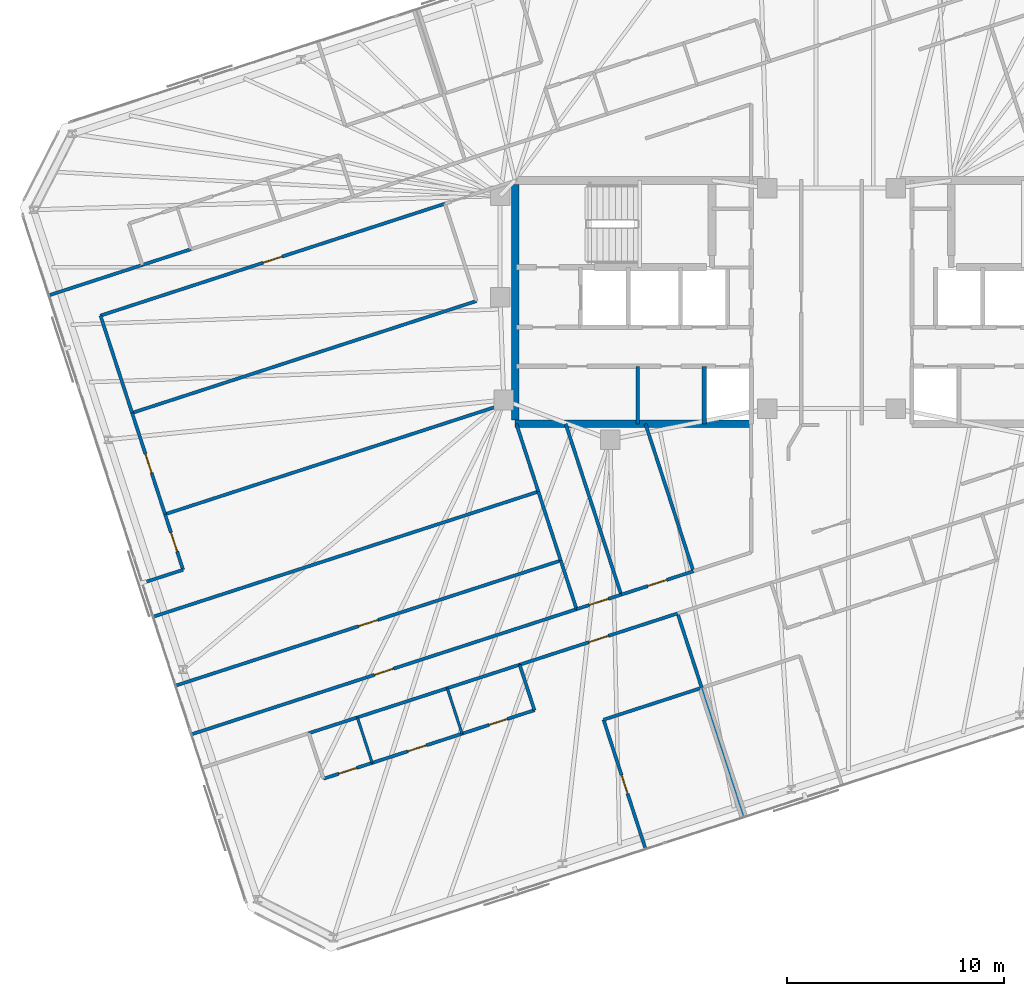
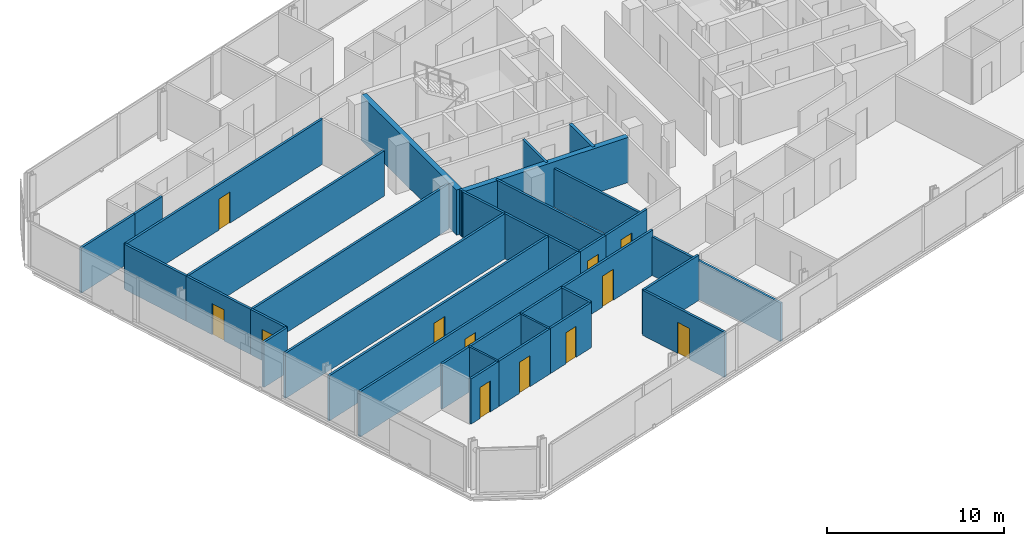
# One storey, part 13 of 20: 36 walls, 12 doors, 12 openings.
"""IFC4 building model written with IfcOpenShell, lengths in metres."""

from ifc_helpers import new_model, si_unit, direction, frame, frame_2d, origin, place, context, subcontext, project, spatial, rectangle, extrude, material, layer, layer_set, type_object, element, fill, save


model = new_model("IFC4")

# Units and contexts
model_context = context("Model", 3, precision=1e-05, world=origin(), true_north=direction((0.0, 1.0)))
body_context = subcontext(model_context, "Body", "Model", "MODEL_VIEW")
ifc_project = project(units=[si_unit("LENGTHUNIT", "METRE"), si_unit("AREAUNIT", "SQUARE_METRE"), si_unit("VOLUMEUNIT", "CUBIC_METRE"), si_unit("PLANEANGLEUNIT", "RADIAN"), si_unit("MASSUNIT", "GRAM", prefix="KILO")], contexts=[model_context])

# Site, building, storey
site_placement = place(None, origin())
site = spatial("IfcSite", under=ifc_project, at=site_placement, CompositionType="ELEMENT")
building_placement = place(site_placement, origin())
building = spatial("IfcBuilding", under=site, at=building_placement, Name="Menara Jurai Vektor", CompositionType="ELEMENT")
storey_placement = place(building_placement, frame((0.0, 0.0, 217.60009765625)))
storey = spatial("IfcBuildingStorey", under=building, at=storey_placement, Name="L57", CompositionType="ELEMENT", Elevation=217.60009765625)

# Walls
ifc_material_1 = material(Name="Gypsum Fireboard Partition", Category="gypsum")
ifc_layer_1 = layer(ifc_material_1, 0.14990234375)
ifc_layer_set_1 = layer_set([ifc_layer_1], Name="Gypsum Fireboard Partition")
wall_type_1 = type_object("IfcWallType", Name="INT-WALL-CORR-150", PredefinedType="PARTITIONING", material=ifc_layer_set_1)
wall_1_placement = place(storey_placement, frame((-8.919921875, -5.60009765625, 0.0), z_axis=(0.0, 0.0, 1.0), x_axis=(0.0, 1.0, 0.0)))
element("IfcWall", 1, at=wall_1_placement, inside=storey, type_object=wall_type_1, Name="Interior Wall IW-150 L57", PredefinedType="PARTITIONING", context=body_context, shape_type="SweptSolid", body=[
    extrude(rectangle(XDim=2.650146484375, YDim=0.14990234375, at=frame_2d((1.3251953125, 0.0))), origin(), (0.0, 0.0, 1.0), 3.125),
])
wall_2_placement = place(storey_placement, frame((-36.01220703125, 0.314208984375, 0.0), z_axis=(0.0, 0.0, 1.0), x_axis=(0.951052710898, 0.309028705936, 0.0)))
element("IfcWall", 2, at=wall_2_placement, inside=storey, type_object=wall_type_1, Name="Interior Wall IW-150 L57", PredefinedType="PARTITIONING", context=body_context, shape_type="SweptSolid", body=[
    extrude(rectangle(XDim=4.52294921875, YDim=0.14990234375, at=frame_2d((2.261474609375, 0.0))), origin(), (0.0, 0.0, 1.0), 3.125),
])
wall_3_placement = place(storey_placement, frame((-31.710693359375, 1.7119140625, 0.0), z_axis=(0.0, 0.0, 1.0), x_axis=(0.951076048914, 0.308956872689, 0.0)))
element("IfcWall", 3, at=wall_3_placement, inside=storey, type_object=wall_type_1, Name="Interior Wall IW-150 L57", PredefinedType="PARTITIONING", context=body_context, shape_type="SweptSolid", body=[
    extrude(rectangle(XDim=2.35009765625, YDim=0.14990234375, at=frame_2d((1.175048828125, 0.0))), origin(), (0.0, 0.0, 1.0), 3.125),
])

# Wall, opening, door
wall_4_placement = place(storey_placement, frame((-14.349365234375, -16.67724609375, 0.0), z_axis=(0.0, 0.0, 1.0), x_axis=(0.951058958043, 0.309009479345, 0.0)))
wall_4 = element("IfcWall", 4, at=wall_4_placement, inside=storey, type_object=wall_type_1, Name="Interior Wall IW-150 L57", PredefinedType="PARTITIONING", context=body_context, shape_type="SweptSolid", body=[
    extrude(rectangle(XDim=7.64013671875, YDim=0.14990234375, at=frame_2d((3.820068359375, 0.0))), origin(), (0.0, 0.0, 1.0), 3.125),
])
opening_1_placement = place(wall_4_placement, frame((3.344970703125, 0.0, 0.0)))
opening_1 = element("IfcOpeningElement", 5, at=opening_1_placement, cuts=wall_4, Name="Opening D57-24", PredefinedType="OPENING", context=body_context, shape_type="SweptSolid", body=[
    extrude(rectangle(XDim=0.949951171875, YDim=2.14990234375, at=frame_2d((0.47509765625, 1.074951171875))), frame((0.0, 0.0849609375, 0.0), z_axis=(0.0, -1.0, 0.0), x_axis=(1.0, 0.0, 0.0)), (0.0, 0.0, 1.0), 0.169921875),
])
ifc_material_2 = material(Name="Solid Core Timber Fire Door", Category="wood")
door_type_1 = type_object("IfcDoorType", Name="DR-ENTRY-950", OperationType="NOTDEFINED", PredefinedType="DOOR", material=ifc_material_2)
door_1_placement = place(opening_1_placement, origin())
door_1 = element("IfcDoor", 6, at=door_1_placement, inside=storey, type_object=door_type_1, Name="Interior Door D57-24", OperationType="SINGLE_SWING_LEFT", OverallHeight=2.14990234375, OverallWidth=0.949951171875, PredefinedType="DOOR", context=body_context, shape_type="SweptSolid", body=[
    extrude(rectangle(XDim=0.949951171875, YDim=2.14990234375, at=frame_2d((0.47509765625, 1.074951171875))), frame((0.0, 0.02490234375, 0.0), z_axis=(0.0, -1.0, 0.0), x_axis=(1.0, 0.0, 0.0)), (0.0, 0.0, 1.0), 0.050048828125),
])
fill(opening_1, door_1)

# Walls
wall_5_placement = place(storey_placement, frame((-24.050048828125, -19.829345703125, 0.0), z_axis=(0.0, 0.0, 1.0), x_axis=(0.951035595692, 0.309081373955, 0.0)))
element("IfcWall", 7, at=wall_5_placement, inside=storey, type_object=wall_type_1, Name="Interior Wall IW-150 L57", PredefinedType="PARTITIONING", context=body_context, shape_type="SweptSolid", body=[
    extrude(rectangle(XDim=2.349853515625, YDim=0.14990234375, at=frame_2d((1.1748046875, 0.0))), origin(), (0.0, 0.0, 1.0), 3.125),
])
wall_6_placement = place(storey_placement, frame((-21.815185546875, -19.10302734375, 0.0), z_axis=(0.0, 0.0, 1.0), x_axis=(0.951057987102, 0.309012467661, 0.0)))
element("IfcWall", 8, at=wall_6_placement, inside=storey, type_object=wall_type_1, Name="Interior Wall IW-150 L57", PredefinedType="PARTITIONING", context=body_context, shape_type="SweptSolid", body=[
    extrude(rectangle(XDim=4.35009765625, YDim=0.14990234375, at=frame_2d((2.175048828125, 0.0))), origin(), (0.0, 0.0, 1.0), 3.125),
])
wall_7_placement = place(storey_placement, frame((-17.677978515625, -17.7587890625, 0.0), z_axis=(0.0, 0.0, 1.0), x_axis=(0.951055596592, 0.309019824916, 0.0)))
element("IfcWall", 9, at=wall_7_placement, inside=storey, type_object=wall_type_1, Name="Interior Wall IW-150 L57", PredefinedType="PARTITIONING", context=body_context, shape_type="SweptSolid", body=[
    extrude(rectangle(XDim=3.5, YDim=0.14990234375, at=frame_2d((1.75, 0.0))), origin(), (0.0, 0.0, 1.0), 3.125),
])

# Wall, opening, door
wall_8_placement = place(storey_placement, frame((-29.450439453125, -19.880615234375, 0.0), z_axis=(0.0, 0.0, 1.0), x_axis=(0.95105650271, 0.309017036186, 0.0)))
wall_8 = element("IfcWall", 10, at=wall_8_placement, inside=storey, type_object=wall_type_1, Name="Interior Wall IW-150 L57", PredefinedType="PARTITIONING", context=body_context, shape_type="SweptSolid", body=[
    extrude(rectangle(XDim=18.6318359375, YDim=0.14990234375, at=frame_2d((9.31591796875, 0.0))), origin(), (0.0, 0.0, 1.0), 3.125),
])
opening_2_placement = place(wall_8_placement, frame((8.85595703125, 0.0, 0.0)))
opening_2 = element("IfcOpeningElement", 11, at=opening_2_placement, cuts=wall_8, Name="Opening D57-38", PredefinedType="OPENING", context=body_context, shape_type="SweptSolid", body=[
    extrude(rectangle(XDim=0.919921875, YDim=2.14990234375, at=frame_2d((0.4599609375, 1.074951171875))), frame((0.0, 0.0849609375, 0.0), z_axis=(0.0, -1.0, 0.0), x_axis=(1.0, 0.0, 0.0)), (0.0, 0.0, 1.0), 0.169921875),
])
door_2_placement = place(opening_2_placement, origin())
door_2 = element("IfcDoor", 12, at=door_2_placement, inside=storey, type_object=door_type_1, Name="Interior Door D57-38", OperationType="SINGLE_SWING_LEFT", OverallHeight=2.14990234375, OverallWidth=0.919921875, PredefinedType="DOOR", context=body_context, shape_type="SweptSolid", body=[
    extrude(rectangle(XDim=0.919921875, YDim=2.14990234375, at=frame_2d((0.4599609375, 1.074951171875))), frame((0.0, 0.02490234375, 0.0), z_axis=(0.0, -1.0, 0.0), x_axis=(1.0, 0.0, 0.0)), (0.0, 0.0, 1.0), 0.050048828125),
])
fill(opening_2, door_2)

# Wall
wall_9_placement = place(storey_placement, frame((-31.7119140625, -12.9208984375, 0.0), z_axis=(0.0, 0.0, 1.0), x_axis=(0.951054051148, 0.309024581215, 0.0)))
element("IfcWall", 13, at=wall_9_placement, inside=storey, type_object=wall_type_1, Name="Interior Wall IW-150 L57", PredefinedType="PARTITIONING", context=body_context, shape_type="SweptSolid", body=[
    extrude(rectangle(XDim=1.97509765625, YDim=0.14990234375, at=frame_2d((0.987548828125, 0.0))), origin(), (0.0, 0.0, 1.0), 3.125),
])

# Wall, opening, door
wall_10_placement = place(storey_placement, frame((-29.83349609375, -12.310546875, 0.0), z_axis=(0.0, 0.0, 1.0), x_axis=(-0.309044953986, 0.951047431213, 0.0)))
wall_10 = element("IfcWall", 14, at=wall_10_placement, inside=storey, type_object=wall_type_1, Name="Interior Wall IW-150 L57", PredefinedType="PARTITIONING", context=body_context, shape_type="SweptSolid", body=[
    extrude(rectangle(XDim=2.68505859375, YDim=0.14990234375, at=frame_2d((1.342529296875, 0.0))), origin(), (0.0, 0.0, 1.0), 3.125),
])
opening_3_placement = place(wall_10_placement, frame((0.882568359375, 0.0, 0.0)))
opening_3 = element("IfcOpeningElement", 15, at=opening_3_placement, cuts=wall_10, Name="Opening D57-40", PredefinedType="OPENING", context=body_context, shape_type="SweptSolid", body=[
    extrude(rectangle(XDim=0.919921875, YDim=2.14990234375, at=frame_2d((0.4599609375, 1.074951171875))), frame((0.0, 0.0849609375, 0.0), z_axis=(0.0, -1.0, 0.0), x_axis=(1.0, 0.0, 0.0)), (0.0, 0.0, 1.0), 0.169921875),
])
door_3_placement = place(opening_3_placement, origin())
door_3 = element("IfcDoor", 16, at=door_3_placement, inside=storey, type_object=door_type_1, Name="Interior Door D57-40", OperationType="SINGLE_SWING_LEFT", OverallHeight=2.14990234375, OverallWidth=0.919921875, PredefinedType="DOOR", context=body_context, shape_type="SweptSolid", body=[
    extrude(rectangle(XDim=0.919921875, YDim=2.14990234375, at=frame_2d((0.4599609375, 1.074951171875))), frame((0.0, 0.02490234375, 0.0), z_axis=(0.0, -1.0, 0.0), x_axis=(1.0, 0.0, 0.0)), (0.0, 0.0, 1.0), 0.050048828125),
])
fill(opening_3, door_3)

wall_11_placement = place(storey_placement, frame((-30.663330078125, -9.7568359375, 0.0), z_axis=(0.0, 0.0, 1.0), x_axis=(-0.309019653166, 0.951055652397, 0.0)))
wall_11 = element("IfcWall", 17, at=wall_11_placement, inside=storey, type_object=wall_type_1, Name="Interior Wall IW-150 L57", PredefinedType="PARTITIONING", context=body_context, shape_type="SweptSolid", body=[
    extrude(rectangle(XDim=4.90380859375, YDim=0.14990234375, at=frame_2d((2.451904296875, 0.0))), origin(), (0.0, 0.0, 1.0), 3.125),
])
opening_4_placement = place(wall_11_placement, frame((1.991943359375, 0.0, 0.0)))
opening_4 = element("IfcOpeningElement", 18, at=opening_4_placement, cuts=wall_11, Name="Opening D57-41", PredefinedType="OPENING", context=body_context, shape_type="SweptSolid", body=[
    extrude(rectangle(XDim=0.919921875, YDim=2.14990234375, at=frame_2d((0.4599609375, 1.074951171875))), frame((0.0, 0.0849609375, 0.0), z_axis=(0.0, -1.0, 0.0), x_axis=(1.0, 0.0, 0.0)), (0.0, 0.0, 1.0), 0.169921875),
])
door_4_placement = place(opening_4_placement, origin())
door_4 = element("IfcDoor", 19, at=door_4_placement, inside=storey, type_object=door_type_1, Name="Interior Door D57-41", OperationType="SINGLE_SWING_RIGHT", OverallHeight=2.14990234375, OverallWidth=0.919921875, PredefinedType="DOOR", context=body_context, shape_type="SweptSolid", body=[
    extrude(rectangle(XDim=0.919921875, YDim=2.14990234375, at=frame_2d((0.4599609375, 1.074951171875))), frame((0.0, 0.02490234375, 0.0), z_axis=(0.0, -1.0, 0.0), x_axis=(1.0, 0.0, 0.0)), (0.0, 0.0, 1.0), 0.050048828125),
])
fill(opening_4, door_4)

# Wall
wall_12_placement = place(storey_placement, frame((-32.1787109375, -5.093017578125, 0.0), z_axis=(0.0, 0.0, 1.0), x_axis=(-0.309014532869, 0.951057316083, 0.0)))
element("IfcWall", 20, at=wall_12_placement, inside=storey, type_object=wall_type_1, Name="Interior Wall IW-150 L57", PredefinedType="PARTITIONING", context=body_context, shape_type="SweptSolid", body=[
    extrude(rectangle(XDim=4.707275390625, YDim=0.14990234375, at=frame_2d((2.353515625, 0.0))), origin(), (0.0, 0.0, 1.0), 3.125),
])

# Wall, opening, door
wall_13_placement = place(storey_placement, frame((-33.63330078125, -0.6162109375, 0.0), z_axis=(0.0, 0.0, 1.0), x_axis=(0.951058192995, 0.309011833974, 0.0)))
wall_13 = element("IfcWall", 21, at=wall_13_placement, inside=storey, type_object=wall_type_1, Name="Interior Wall IW-150 L57", PredefinedType="PARTITIONING", context=body_context, shape_type="SweptSolid", body=[
    extrude(rectangle(XDim=16.656982421875, YDim=0.14990234375, at=frame_2d((8.32861328125, 0.0))), origin(), (0.0, 0.0, 1.0), 3.125),
])
opening_5_placement = place(wall_13_placement, frame((7.868408203125, 0.0, 0.0)))
opening_5 = element("IfcOpeningElement", 22, at=opening_5_placement, cuts=wall_13, Name="Opening D57-42", PredefinedType="OPENING", context=body_context, shape_type="SweptSolid", body=[
    extrude(rectangle(XDim=0.919921875, YDim=2.14990234375, at=frame_2d((0.4599609375, 1.074951171875))), frame((0.0, 0.0849609375, 0.0), z_axis=(0.0, -1.0, 0.0), x_axis=(1.0, 0.0, 0.0)), (0.0, 0.0, 1.0), 0.169921875),
])
door_5_placement = place(opening_5_placement, origin())
door_5 = element("IfcDoor", 23, at=door_5_placement, inside=storey, type_object=door_type_1, Name="Interior Door D57-42", OperationType="SINGLE_SWING_LEFT", OverallHeight=2.14990234375, OverallWidth=0.919921875, PredefinedType="DOOR", context=body_context, shape_type="SweptSolid", body=[
    extrude(rectangle(XDim=0.919921875, YDim=2.14990234375, at=frame_2d((0.4599609375, 1.074951171875))), frame((0.0, 0.02490234375, 0.0), z_axis=(0.0, -1.0, 0.0), x_axis=(1.0, 0.0, 0.0)), (0.0, 0.0, 1.0), 0.050048828125),
])
fill(opening_5, door_5)

wall_14_placement = place(storey_placement, frame((-11.73046875, -14.123046875, 0.0), z_axis=(0.0, 0.0, 1.0), x_axis=(0.951066501686, 0.308986260812, 0.0)))
wall_14 = element("IfcWall", 24, at=wall_14_placement, inside=storey, type_object=wall_type_1, Name="Interior Wall IW-150 L57", PredefinedType="PARTITIONING", context=body_context, shape_type="SweptSolid", body=[
    extrude(rectangle(XDim=2.156982421875, YDim=0.14990234375, at=frame_2d((1.07861328125, 0.0))), origin(), (0.0, 0.0, 1.0), 3.125),
])
opening_6_placement = place(wall_14_placement, frame((0.618408203125, 0.0, 0.0)))
opening_6 = element("IfcOpeningElement", 25, at=opening_6_placement, cuts=wall_14, Name="Opening D57-45", PredefinedType="OPENING", context=body_context, shape_type="SweptSolid", body=[
    extrude(rectangle(XDim=0.919921875, YDim=2.14990234375, at=frame_2d((0.4599609375, 1.074951171875))), frame((0.0, 0.0849609375, 0.0), z_axis=(0.0, -1.0, 0.0), x_axis=(1.0, 0.0, 0.0)), (0.0, 0.0, 1.0), 0.169921875),
])
door_6_placement = place(opening_6_placement, origin())
door_6 = element("IfcDoor", 26, at=door_6_placement, inside=storey, type_object=door_type_1, Name="Interior Door D57-45", OperationType="SINGLE_SWING_RIGHT", OverallHeight=2.14990234375, OverallWidth=0.919921875, PredefinedType="DOOR", context=body_context, shape_type="SweptSolid", body=[
    extrude(rectangle(XDim=0.919921875, YDim=2.14990234375, at=frame_2d((0.4599609375, 1.074951171875))), frame((0.0, 0.02490234375, 0.0), z_axis=(0.0, -1.0, 0.0), x_axis=(1.0, 0.0, 0.0)), (0.0, 0.0, 1.0), 0.050048828125),
])
fill(opening_6, door_6)

wall_15_placement = place(storey_placement, frame((-9.678955078125, -13.45654296875, 0.0), z_axis=(0.0, 0.0, 1.0), x_axis=(0.951054104561, 0.309024416831, 0.0)))
wall_15 = element("IfcWall", 27, at=wall_15_placement, inside=storey, type_object=wall_type_1, Name="Interior Wall IW-150 L57", PredefinedType="PARTITIONING", context=body_context, shape_type="SweptSolid", body=[
    extrude(rectangle(XDim=3.491943359375, YDim=0.14990234375, at=frame_2d((1.74609375, 0.0))), origin(), (0.0, 0.0, 1.0), 3.125),
])
opening_7_placement = place(wall_15_placement, frame((1.285888671875, 0.0, 0.0)))
opening_7 = element("IfcOpeningElement", 28, at=opening_7_placement, cuts=wall_15, Name="Opening D57-46", PredefinedType="OPENING", context=body_context, shape_type="SweptSolid", body=[
    extrude(rectangle(XDim=0.919921875, YDim=2.14990234375, at=frame_2d((0.4599609375, 1.074951171875))), frame((0.0, 0.0849609375, 0.0), z_axis=(0.0, -1.0, 0.0), x_axis=(1.0, 0.0, 0.0)), (0.0, 0.0, 1.0), 0.169921875),
])
door_7_placement = place(opening_7_placement, origin())
door_7 = element("IfcDoor", 29, at=door_7_placement, inside=storey, type_object=door_type_1, Name="Interior Door D57-46", OperationType="SINGLE_SWING_LEFT", OverallHeight=2.14990234375, OverallWidth=0.919921875, PredefinedType="DOOR", context=body_context, shape_type="SweptSolid", body=[
    extrude(rectangle(XDim=0.919921875, YDim=2.14990234375, at=frame_2d((0.4599609375, 1.074951171875))), frame((0.0, 0.02490234375, 0.0), z_axis=(0.0, -1.0, 0.0), x_axis=(1.0, 0.0, 0.0)), (0.0, 0.0, 1.0), 0.050048828125),
])
fill(opening_7, door_7)

wall_16_placement = place(storey_placement, frame((-23.370361328125, -21.921630859375, 0.0), z_axis=(0.0, 0.0, 1.0), x_axis=(0.951045519245, 0.309050837767, 0.0)))
wall_16 = element("IfcWall", 30, at=wall_16_placement, inside=storey, type_object=wall_type_1, Name="Interior Wall IW-150 L57", PredefinedType="PARTITIONING", context=body_context, shape_type="SweptSolid", body=[
    extrude(rectangle(XDim=2.35009765625, YDim=0.14990234375, at=frame_2d((1.175048828125, 0.0))), origin(), (0.0, 0.0, 1.0), 3.125),
])
opening_8_placement = place(wall_16_placement, frame((0.735107421875, 0.0, 0.0)))
opening_8 = element("IfcOpeningElement", 31, at=opening_8_placement, cuts=wall_16, Name="Opening D57-25", PredefinedType="OPENING", context=body_context, shape_type="SweptSolid", body=[
    extrude(rectangle(XDim=0.8798828125, YDim=2.14990234375, at=frame_2d((0.43994140625, 1.074951171875))), frame((0.0, 0.0849609375, 0.0), z_axis=(0.0, -1.0, 0.0), x_axis=(1.0, 0.0, 0.0)), (0.0, 0.0, 1.0), 0.169921875),
])
ifc_material_3 = material(Name="Moisture-Resistant Timber Door", Category="wood")
door_type_2 = type_object("IfcDoorType", Name="DR-BATH-880", OperationType="NOTDEFINED", PredefinedType="DOOR", material=ifc_material_3)
door_8_placement = place(opening_8_placement, origin())
door_8 = element("IfcDoor", 32, at=door_8_placement, inside=storey, type_object=door_type_2, Name="Interior Door D57-25", OperationType="SINGLE_SWING_RIGHT", OverallHeight=2.14990234375, OverallWidth=0.8798828125, PredefinedType="DOOR", context=body_context, shape_type="SweptSolid", body=[
    extrude(rectangle(XDim=0.8798828125, YDim=2.14990234375, at=frame_2d((0.43994140625, 1.074951171875))), frame((0.0, 0.02490234375, 0.0), z_axis=(0.0, -1.0, 0.0), x_axis=(1.0, 0.0, 0.0)), (0.0, 0.0, 1.0), 0.050048828125),
])
fill(opening_8, door_8)

wall_17_placement = place(storey_placement, frame((-21.13525390625, -21.1953125, 0.0), z_axis=(0.0, 0.0, 1.0), x_axis=(0.951069122051, 0.308978195154, 0.0)))
wall_17 = element("IfcWall", 33, at=wall_17_placement, inside=storey, type_object=wall_type_1, Name="Interior Wall IW-150 L57", PredefinedType="PARTITIONING", context=body_context, shape_type="SweptSolid", body=[
    extrude(rectangle(XDim=4.349853515625, YDim=0.14990234375, at=frame_2d((2.1748046875, 0.0))), origin(), (0.0, 0.0, 1.0), 3.125),
])
opening_9_placement = place(wall_17_placement, frame((1.72509765625, 0.0, 0.0)))
opening_9 = element("IfcOpeningElement", 34, at=opening_9_placement, cuts=wall_17, Name="Opening D57-26", PredefinedType="OPENING", context=body_context, shape_type="SweptSolid", body=[
    extrude(rectangle(XDim=0.89990234375, YDim=2.14990234375, at=frame_2d((0.449951171875, 1.074951171875))), frame((0.0, 0.0849609375, 0.0), z_axis=(0.0, -1.0, 0.0), x_axis=(1.0, 0.0, 0.0)), (0.0, 0.0, 1.0), 0.169921875),
])
ifc_material_4 = material(Name="Acoustic Timber Interior Door", Category="wood")
door_type_3 = type_object("IfcDoorType", Name="DR-ROOM-900", OperationType="NOTDEFINED", PredefinedType="DOOR", material=ifc_material_4)
door_9_placement = place(opening_9_placement, origin())
door_9 = element("IfcDoor", 35, at=door_9_placement, inside=storey, type_object=door_type_3, Name="Interior Door D57-26", OperationType="SINGLE_SWING_LEFT", OverallHeight=2.14990234375, OverallWidth=0.89990234375, PredefinedType="DOOR", context=body_context, shape_type="SweptSolid", body=[
    extrude(rectangle(XDim=0.89990234375, YDim=2.14990234375, at=frame_2d((0.449951171875, 1.074951171875))), frame((0.0, 0.02490234375, 0.0), z_axis=(0.0, -1.0, 0.0), x_axis=(1.0, 0.0, 0.0)), (0.0, 0.0, 1.0), 0.050048828125),
])
fill(opening_9, door_9)

wall_18_placement = place(storey_placement, frame((-16.998291015625, -19.851318359375, 0.0), z_axis=(0.0, 0.0, 1.0), x_axis=(0.951041757107, 0.309062414796, 0.0)))
wall_18 = element("IfcWall", 36, at=wall_18_placement, inside=storey, type_object=wall_type_1, Name="Interior Wall IW-150 L57", PredefinedType="PARTITIONING", context=body_context, shape_type="SweptSolid", body=[
    extrude(rectangle(XDim=3.500244140625, YDim=0.14990234375, at=frame_2d((1.75, 0.0))), origin(), (0.0, 0.0, 1.0), 3.125),
])
opening_10_placement = place(wall_18_placement, frame((1.31005859375, 0.0, 0.0)))
opening_10 = element("IfcOpeningElement", 37, at=opening_10_placement, cuts=wall_18, Name="Opening D57-27", PredefinedType="OPENING", context=body_context, shape_type="SweptSolid", body=[
    extrude(rectangle(XDim=0.8798828125, YDim=2.14990234375, at=frame_2d((0.43994140625, 1.074951171875))), frame((0.0, 0.0849609375, 0.0), z_axis=(0.0, -1.0, 0.0), x_axis=(1.0, 0.0, 0.0)), (0.0, 0.0, 1.0), 0.169921875),
])
door_10_placement = place(opening_10_placement, origin())
door_10 = element("IfcDoor", 38, at=door_10_placement, inside=storey, type_object=door_type_2, Name="Interior Door D57-27", OperationType="SINGLE_SWING_RIGHT", OverallHeight=2.14990234375, OverallWidth=0.8798828125, PredefinedType="DOOR", context=body_context, shape_type="SweptSolid", body=[
    extrude(rectangle(XDim=0.8798828125, YDim=2.14990234375, at=frame_2d((0.43994140625, 1.074951171875))), frame((0.0, 0.02490234375, 0.0), z_axis=(0.0, -1.0, 0.0), x_axis=(1.0, 0.0, 0.0)), (0.0, 0.0, 1.0), 0.050048828125),
])
fill(opening_10, door_10)

# Wall
wall_19_placement = place(storey_placement, frame((-13.66943359375, -18.76953125, 0.0), z_axis=(0.0, 0.0, 1.0), x_axis=(-0.309060979314, 0.951042223598, 0.0)))
element("IfcWall", 39, at=wall_19_placement, inside=storey, type_object=wall_type_1, Name="Interior Wall IW-150 L57", PredefinedType="PARTITIONING", context=body_context, shape_type="SweptSolid", body=[
    extrude(rectangle(XDim=2.199951171875, YDim=0.14990234375, at=frame_2d((1.10009765625, 0.0))), origin(), (0.0, 0.0, 1.0), 3.125),
])

# Wall, opening, door
wall_20_placement = place(storey_placement, frame((-8.55322265625, -25.16357421875, 0.0), z_axis=(0.0, 0.0, 1.0), x_axis=(-0.309013782848, 0.951057559777, 0.0)))
wall_20 = element("IfcWall", 40, at=wall_20_placement, inside=storey, type_object=wall_type_1, Name="Interior Wall IW-150 L57", PredefinedType="PARTITIONING", context=body_context, shape_type="SweptSolid", body=[
    extrude(rectangle(XDim=6.261962890625, YDim=0.14990234375, at=frame_2d((3.130859375, 0.0))), origin(), (0.0, 0.0, 1.0), 3.125),
])
opening_11_placement = place(wall_20_placement, frame((2.680908203125, 0.0, 0.0)))
opening_11 = element("IfcOpeningElement", 41, at=opening_11_placement, cuts=wall_20, Name="Opening D57-28", PredefinedType="OPENING", context=body_context, shape_type="SweptSolid", body=[
    extrude(rectangle(XDim=0.89990234375, YDim=2.14990234375, at=frame_2d((0.449951171875, 1.074951171875))), frame((0.0, 0.0849609375, 0.0), z_axis=(0.0, -1.0, 0.0), x_axis=(1.0, 0.0, 0.0)), (0.0, 0.0, 1.0), 0.169921875),
])
door_11_placement = place(opening_11_placement, origin())
door_11 = element("IfcDoor", 42, at=door_11_placement, inside=storey, type_object=door_type_3, Name="Interior Door D57-28", OperationType="SINGLE_SWING_LEFT", OverallHeight=2.14990234375, OverallWidth=0.89990234375, PredefinedType="DOOR", context=body_context, shape_type="SweptSolid", body=[
    extrude(rectangle(XDim=0.89990234375, YDim=2.14990234375, at=frame_2d((0.449951171875, 1.074951171875))), frame((0.0, 0.02490234375, 0.0), z_axis=(0.0, -1.0, 0.0), x_axis=(1.0, 0.0, 0.0)), (0.0, 0.0, 1.0), 0.050048828125),
])
fill(opening_11, door_11)

# Wall
wall_21_placement = place(storey_placement, frame((-10.48828125, -19.2080078125, 0.0), z_axis=(0.0, 0.0, 1.0), x_axis=(0.951050272606, 0.309036209813, 0.0)))
element("IfcWall", 43, at=wall_21_placement, inside=storey, type_object=wall_type_1, Name="Interior Wall IW-150 L57", PredefinedType="PARTITIONING", context=body_context, shape_type="SweptSolid", body=[
    extrude(rectangle(XDim=4.64990234375, YDim=0.14990234375, at=frame_2d((2.324951171875, 0.0))), origin(), (0.0, 0.0, 1.0), 3.125),
])

# Wall, opening, door
wall_22_placement = place(storey_placement, frame((-30.177978515625, -17.641845703125, 0.0), z_axis=(0.0, 0.0, 1.0), x_axis=(0.95105650271, 0.309017036186, 0.0)))
wall_22 = element("IfcWall", 44, at=wall_22_placement, inside=storey, type_object=wall_type_1, Name="Interior Wall IW-150 L57", PredefinedType="PARTITIONING", context=body_context, shape_type="SweptSolid", body=[
    extrude(rectangle(XDim=18.6318359375, YDim=0.14990234375, at=frame_2d((9.31591796875, 0.0))), origin(), (0.0, 0.0, 1.0), 3.125),
])
opening_12_placement = place(wall_22_placement, frame((8.85595703125, 0.0, 0.0)))
opening_12 = element("IfcOpeningElement", 45, at=opening_12_placement, cuts=wall_22, Name="Opening D57-39", PredefinedType="OPENING", context=body_context, shape_type="SweptSolid", body=[
    extrude(rectangle(XDim=0.919921875, YDim=2.14990234375, at=frame_2d((0.4599609375, 1.074951171875))), frame((0.0, 0.0849609375, 0.0), z_axis=(0.0, -1.0, 0.0), x_axis=(1.0, 0.0, 0.0)), (0.0, 0.0, 1.0), 0.169921875),
])
door_12_placement = place(opening_12_placement, origin())
door_12 = element("IfcDoor", 46, at=door_12_placement, inside=storey, type_object=door_type_1, Name="Interior Door D57-39", OperationType="SINGLE_SWING_RIGHT", OverallHeight=2.14990234375, OverallWidth=0.919921875, PredefinedType="DOOR", context=body_context, shape_type="SweptSolid", body=[
    extrude(rectangle(XDim=0.919921875, YDim=2.14990234375, at=frame_2d((0.4599609375, 1.074951171875))), frame((0.0, 0.02490234375, 0.0), z_axis=(0.0, -1.0, 0.0), x_axis=(1.0, 0.0, 0.0)), (0.0, 0.0, 1.0), 0.050048828125),
])
fill(opening_12, door_12)

# Walls
wall_23_placement = place(storey_placement, frame((-11.73046875, -14.123046875, 0.0), z_axis=(0.0, 0.0, 1.0), x_axis=(-0.309062621189, 0.951041690035, 0.0)))
element("IfcWall", 47, at=wall_23_placement, inside=storey, type_object=wall_type_1, Name="Interior Wall IW-150 L57", PredefinedType="PARTITIONING", context=body_context, shape_type="SweptSolid", body=[
    extrude(rectangle(XDim=2.35400390625, YDim=0.14990234375, at=frame_2d((1.177001953125, 0.0))), origin(), (0.0, 0.0, 1.0), 3.125),
])
wall_24_placement = place(storey_placement, frame((-31.208251953125, -14.470947265625, 0.0), z_axis=(0.0, 0.0, 1.0), x_axis=(0.951057753948, 0.309013185244, 0.0)))
element("IfcWall", 48, at=wall_24_placement, inside=storey, type_object=wall_type_1, Name="Interior Wall IW-150 L57", PredefinedType="PARTITIONING", context=body_context, shape_type="SweptSolid", body=[
    extrude(rectangle(XDim=18.632080078125, YDim=0.14990234375, at=frame_2d((9.31591796875, 0.0))), origin(), (0.0, 0.0, 1.0), 3.125),
])
wall_25_placement = place(storey_placement, frame((-12.4580078125, -11.88427734375, 0.0), z_axis=(0.0, 0.0, 1.0), x_axis=(-0.308946982245, 0.951079261766, 0.0)))
element("IfcWall", 49, at=wall_25_placement, inside=storey, type_object=wall_type_1, Name="Interior Wall IW-150 L57", PredefinedType="PARTITIONING", context=body_context, shape_type="SweptSolid", body=[
    extrude(rectangle(XDim=3.333984375, YDim=0.14990234375, at=frame_2d((1.6669921875, 0.0))), origin(), (0.0, 0.0, 1.0), 3.125),
])
wall_26_placement = place(storey_placement, frame((-30.663330078125, -9.7568359375, 0.0), z_axis=(0.0, 0.0, 1.0), x_axis=(0.951058192995, 0.309011833974, 0.0)))
element("IfcWall", 50, at=wall_26_placement, inside=storey, type_object=wall_type_1, Name="Interior Wall IW-150 L57", PredefinedType="PARTITIONING", context=body_context, shape_type="SweptSolid", body=[
    extrude(rectangle(XDim=16.656982421875, YDim=0.14990234375, at=frame_2d((8.32861328125, 0.0))), origin(), (0.0, 0.0, 1.0), 3.125),
])
wall_27_placement = place(storey_placement, frame((-13.488037109375, -8.71337890625, 0.0), z_axis=(0.0, 0.0, 1.0), x_axis=(-0.309082700143, 0.951035164687, 0.0)))
element("IfcWall", 51, at=wall_27_placement, inside=storey, type_object=wall_type_1, Name="Interior Wall IW-150 L57", PredefinedType="PARTITIONING", context=body_context, shape_type="SweptSolid", body=[
    extrude(rectangle(XDim=3.274169921875, YDim=0.14990234375, at=frame_2d((1.63720703125, 0.0))), origin(), (0.0, 0.0, 1.0), 3.125),
])
wall_28_placement = place(storey_placement, frame((-32.1787109375, -5.093017578125, 0.0), z_axis=(0.0, 0.0, 1.0), x_axis=(0.951053885426, 0.309025091239, 0.0)))
element("IfcWall", 52, at=wall_28_placement, inside=storey, type_object=wall_type_1, Name="Interior Wall IW-150 L57", PredefinedType="PARTITIONING", context=body_context, shape_type="SweptSolid", body=[
    extrude(rectangle(XDim=16.656982421875, YDim=0.14990234375, at=frame_2d((8.32861328125, 0.0))), origin(), (0.0, 0.0, 1.0), 3.125),
])
wall_29_placement = place(storey_placement, frame((-9.678955078125, -13.45654296875, 0.0), z_axis=(0.0, 0.0, 1.0), x_axis=(-0.309010558951, 0.951058607267, 0.0)))
element("IfcWall", 53, at=wall_29_placement, inside=storey, type_object=wall_type_1, Name="Interior Wall IW-150 L57", PredefinedType="PARTITIONING", context=body_context, shape_type="SweptSolid", body=[
    extrude(rectangle(XDim=8.260986328125, YDim=0.14990234375, at=frame_2d((4.13037109375, 0.0))), origin(), (0.0, 0.0, 1.0), 3.125),
])
ifc_layer_2 = layer(ifc_material_1, 0.14990234375)
ifc_layer_set_2 = layer_set([ifc_layer_2], Name="Gypsum Fireboard Partition")
wall_type_2 = type_object("IfcWallType", Name="INT-WALL-CORR-150-H1", PredefinedType="PARTITIONING", material=ifc_layer_set_2)
wall_30_placement = place(storey_placement, frame((-4.03564453125, -23.69580078125, 0.0), z_axis=(0.0, 0.0, 1.0), x_axis=(-0.309022258842, 0.95105480575, 0.0)))
element("IfcWall", 54, at=wall_30_placement, inside=storey, type_object=wall_type_2, Name="Interior Wall IW-150 L57", PredefinedType="PARTITIONING", context=body_context, shape_type="SweptSolid", body=[
    extrude(rectangle(XDim=9.862060546875, YDim=0.14990234375, at=frame_2d((4.93115234375, 0.0))), origin(), (0.0, 0.0, 1.0), 2.6748046875),
])
wall_31_placement = place(storey_placement, frame((-6.35791015625, -12.37744140625, 0.0), z_axis=(0.0, 0.0, 1.0), x_axis=(-0.309024097906, 0.951054208189, 0.0)))
element("IfcWall", 55, at=wall_31_placement, inside=storey, type_object=wall_type_2, Name="Interior Wall IW-150 L57", PredefinedType="PARTITIONING", context=body_context, shape_type="SweptSolid", body=[
    extrude(rectangle(XDim=7.126220703125, YDim=0.14990234375, at=frame_2d((3.56298828125, 0.0))), origin(), (0.0, 0.0, 1.0), 2.6748046875),
])
ifc_material_5 = material(Name="Gypsum Acoustic Stud Partition", Category="gypsum")
ifc_layer_3 = layer(ifc_material_5, 0.1201171875)
ifc_layer_set_3 = layer_set([ifc_layer_3], Name="Gypsum Acoustic Stud Partition")
wall_type_3 = type_object("IfcWallType", Name="INT-WALL-PART-120", PredefinedType="PARTITIONING", material=ifc_layer_set_3)
wall_32_placement = place(storey_placement, frame((-21.13525390625, -21.1953125, 0.0), z_axis=(0.0, 0.0, 1.0), x_axis=(-0.309060979314, 0.951042223598, 0.0)))
element("IfcWall", 56, at=wall_32_placement, inside=storey, type_object=wall_type_3, Name="Interior Wall IW-120 L57", PredefinedType="PARTITIONING", context=body_context, shape_type="SweptSolid", body=[
    extrude(rectangle(XDim=2.199951171875, YDim=0.1201171875, at=frame_2d((1.10009765625, 0.0))), origin(), (0.0, 0.0, 1.0), 3.125),
])
wall_33_placement = place(storey_placement, frame((-16.998291015625, -19.851318359375, 0.0), z_axis=(0.0, 0.0, 1.0), x_axis=(-0.30892799396, 0.951085429679, 0.0)))
element("IfcWall", 57, at=wall_33_placement, inside=storey, type_object=wall_type_3, Name="Interior Wall IW-120 L57", PredefinedType="PARTITIONING", context=body_context, shape_type="SweptSolid", body=[
    extrude(rectangle(XDim=2.2001953125, YDim=0.1201171875, at=frame_2d((1.10009765625, 0.0))), origin(), (0.0, 0.0, 1.0), 3.125),
])
ifc_material_6 = material(Name="Concrete C40/50", Category="concrete")
ifc_layer_4 = layer(ifc_material_6, 0.199951171875)
ifc_layer_set_4 = layer_set([ifc_layer_4], Name="Concrete C40/50")
wall_type_4 = type_object("IfcWallType", Name="INT-WALL-SHAFT-200", PredefinedType="STANDARD", material=ifc_layer_set_4)
wall_34_placement = place(storey_placement, frame((-5.860107421875, -5.60009765625, 0.0), z_axis=(0.0, 0.0, 1.0), x_axis=(0.0, 1.0, 0.0)))
element("IfcWall", 58, at=wall_34_placement, inside=storey, type_object=wall_type_4, Name="Interior Wall IW-200 L57", PredefinedType="STANDARD", context=body_context, shape_type="SweptSolid", body=[
    extrude(rectangle(XDim=2.650146484375, YDim=0.199951171875, at=frame_2d((1.3251953125, 0.0))), origin(), (0.0, 0.0, 1.0), 3.125),
])
ifc_material_7 = material(Name="Concrete C50/60", Category="concrete")
ifc_layer_5 = layer(ifc_material_7, 0.35009765625)
ifc_layer_set_5 = layer_set([ifc_layer_5], Name="Concrete C50/60")
wall_type_5 = type_object("IfcWallType", Name="STR-WALL-CORE350", PredefinedType="SHEAR", material=ifc_layer_set_5)
wall_35_placement = place(storey_placement, frame((-14.56005859375, -5.60009765625, 0.0), z_axis=(0.0, 0.0, 1.0), x_axis=(1.0, 0.0, 0.0)))
element("IfcWall", 59, at=wall_35_placement, inside=storey, type_object=wall_type_5, Name="Core Shear Wall CW-W-S L57", PredefinedType="SHEAR", context=body_context, shape_type="SweptSolid", body=[
    extrude(rectangle(XDim=10.860107421875, YDim=0.35009765625, at=frame_2d((5.43017578125, 0.0))), origin(), (0.0, 0.0, 1.0), 3.125),
])
wall_36_placement = place(storey_placement, frame((-14.56005859375, -5.425048828125, 0.0), z_axis=(0.0, 0.0, 1.0), x_axis=(0.0, 1.0, 0.0)))
element("IfcWall", 60, at=wall_36_placement, inside=storey, type_object=wall_type_5, Name="Core Shear Wall CW-W-W L57", PredefinedType="SHEAR", context=body_context, shape_type="SweptSolid", body=[
    extrude(rectangle(XDim=10.85009765625, YDim=0.35009765625, at=frame_2d((5.425048828125, 0.0))), origin(), (0.0, 0.0, 1.0), 3.125),
])

save(model, "model.ifc")
